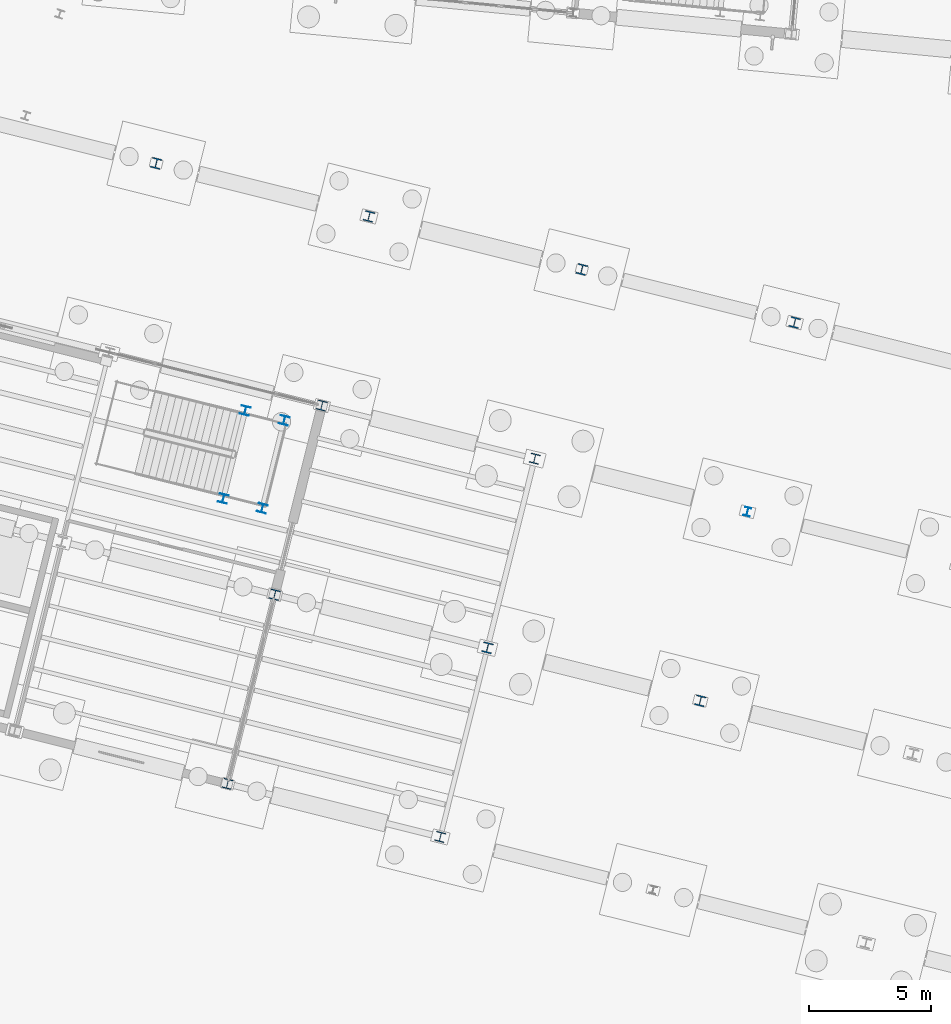
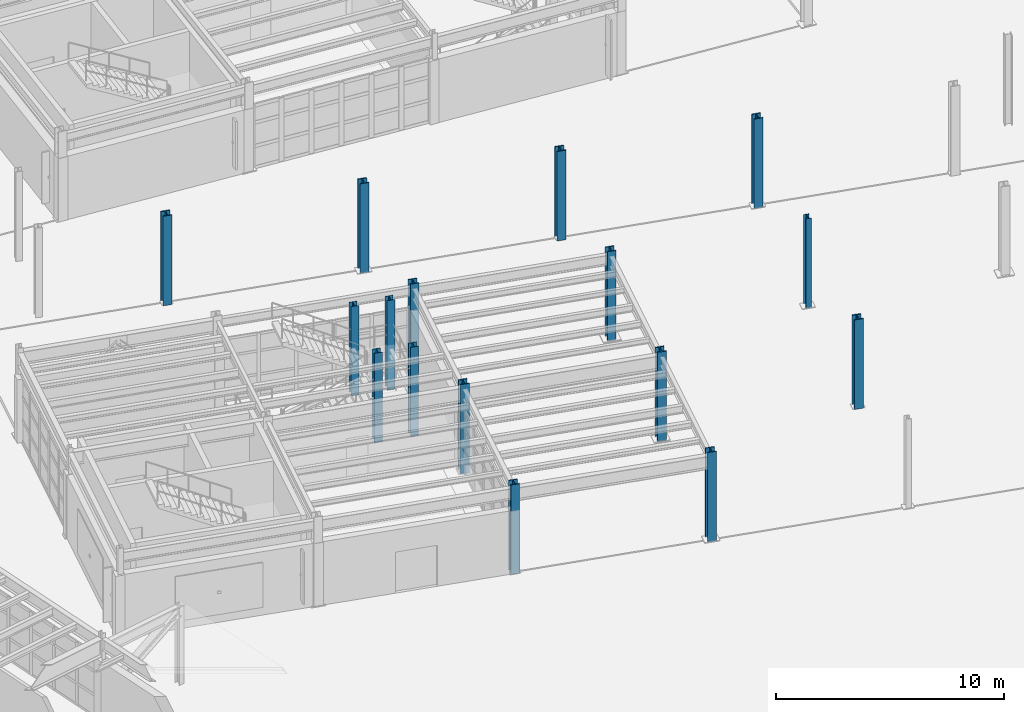
# One storey, part 17 of 108: 16 columns.
"""IFC4 building model written with IfcOpenShell, lengths in metres."""

from ifc_helpers import new_model, si_unit, direction, frame, origin, origin_2d, place, context, subcontext, project, spatial, i_section, extrude, material, material_profile, profile_set, type_object, element, save


model = new_model("IFC4")

# Units and contexts
model_context = context("Model", 3, precision=1e-05, world=origin(), true_north=direction((0.0, 1.0)))
body_context = subcontext(model_context, "Body", "Model", "MODEL_VIEW")
ifc_project = project(units=[si_unit("LENGTHUNIT", "METRE"), si_unit("AREAUNIT", "SQUARE_METRE"), si_unit("VOLUMEUNIT", "CUBIC_METRE"), si_unit("PLANEANGLEUNIT", "RADIAN"), si_unit("MASSUNIT", "GRAM", prefix="KILO")], contexts=[model_context])

# Site, building, storey
site_placement = place(None, origin())
site = spatial("IfcSite", under=ifc_project, at=site_placement, CompositionType="ELEMENT")
building_placement = place(site_placement, origin())
building = spatial("IfcBuilding", under=site, at=building_placement, Name="Vireo Bluff Cable Station", CompositionType="ELEMENT")
storey_placement = place(building_placement, origin())
storey = spatial("IfcBuildingStorey", under=building, at=storey_placement, Name="L00", CompositionType="ELEMENT", Elevation=0.0)

# Columns
ifc_material = material(Name="Steel ASTM A992 Gr. 50", Category="steel")
ifc_material_profile_1 = material_profile(ifc_material, i_section(OverallWidth=0.408935546875, OverallDepth=0.424072265625, WebThickness=0.03271484375, FlangeThickness=0.052490234375, FilletRadius=0.014892578125, at=origin_2d()), Name="W14X283")
ifc_profile_set_1 = profile_set([ifc_material_profile_1], Name="Steel ASTM A992 Gr. 50")
column_type_1 = type_object("IfcColumnType", Name="COL-W14X283", PredefinedType="COLUMN", material=ifc_profile_set_1)
for number, where, z_axis, x_axis, name in (
    (1, (68.538818359375, 59.10986328125, 0.0), (0.0, 0.0, 1.0), (0.970295726276, -0.2419218956, 0.0), "V1 L00 column 36"),
    (2, (82.13330078125, 39.23046875, 0.0), (0.0, 0.0, 1.0), (0.970295726276, -0.2419218956, 0.0), "V1 L00 column 66"),
    (3, (86.004150390625, 54.755126953125, 0.0), (0.0, 0.0, 1.0), (0.970295726276, -0.2419218956, 0.0), "V1 L00 column 76"),
    (4, (90.865966796875, 37.05322265625, 0.0), (0.0, 0.0, 1.0), (0.970295726276, -0.2419218956, 0.0), "V1 L00 column 86"),
    (5, (94.73681640625, 52.577880859375, 0.0), (0.0, 0.0, 1.0), (0.970295726276, -0.2419218956, 0.0), "V1 L00 column 92"),
):
    element("IfcColumn", number, at=place(storey_placement, frame(where, z_axis=z_axis, x_axis=x_axis)), inside=storey, type_object=column_type_1, Name=name, PredefinedType="COLUMN", context=body_context, shape_type="SweptSolid", body=[
        extrude(i_section(OverallWidth=0.408935546875, OverallDepth=0.424072265625, WebThickness=0.03271484375, FlangeThickness=0.052490234375, FilletRadius=0.014892578125, at=origin_2d()), origin(), (0.0, 0.0, 1.0), 4.800048828125),
    ])
ifc_material_profile_2 = material_profile(ifc_material, i_section(OverallWidth=0.367919921875, OverallDepth=0.35595703125, WebThickness=0.01123046875, FlangeThickness=0.01806640625, FilletRadius=0.014892578125, at=origin_2d()), Name="W14X90")
ifc_profile_set_2 = profile_set([ifc_material_profile_2], Name="Steel ASTM A992 Gr. 50")
column_type_2 = type_object("IfcColumnType", Name="COL-W14X90", PredefinedType="COLUMN", material=ifc_profile_set_2)
for number, where, z_axis, x_axis, name in (
    (6, (71.29296875, 45.35498046875, 0.0), (0.0, 0.0, 1.0), (0.970295726276, -0.2419218956, 0.0), "ST-10 L00 landing support column 1"),
    (7, (72.89404296875, 44.955810546875, 0.0), (0.0, 0.0, 1.0), (0.970295726276, -0.2419218956, 0.0), "ST-10 L00 landing support column 2"),
    (8, (72.19287109375, 48.96435546875, 0.0), (0.0, 0.0, 1.0), (0.970295726276, -0.2419218956, 0.0), "ST-10 L00 landing support column 3"),
    (9, (73.7939453125, 48.565185546875, 0.0), (0.0, 0.0, 1.0), (0.970295726276, -0.2419218956, 0.0), "ST-10 L00 landing support column 4"),
):
    element("IfcColumn", number, at=place(storey_placement, frame(where, z_axis=z_axis, x_axis=x_axis)), inside=storey, type_object=column_type_2, Name=name, PredefinedType="COLUMN", context=body_context, shape_type="SweptSolid", body=[
        extrude(i_section(OverallWidth=0.367919921875, OverallDepth=0.35595703125, WebThickness=0.01123046875, FlangeThickness=0.01806640625, FilletRadius=0.014892578125, at=origin_2d()), origin(), (0.0, 0.0, 1.0), 4.800048828125),
    ])
ifc_material_profile_3 = material_profile(ifc_material, i_section(OverallWidth=0.40087890625, OverallDepth=0.39892578125, WebThickness=0.02490234375, FlangeThickness=0.03955078125, FilletRadius=0.014892578125, at=origin_2d()), Name="W14X211")
ifc_profile_set_3 = profile_set([ifc_material_profile_3], Name="Steel ASTM A992 Gr. 50")
column_type_3 = type_object("IfcColumnType", Name="ECOL-W14X211", PredefinedType="COLUMN", material=ifc_profile_set_3)
for number, where, z_axis, x_axis, name in (
    (10, (71.46533203125, 33.6455078125, 0.0), (0.0, 0.0, 1.0), (0.970295726276, -0.2419218956, 0.0), "V1 L00 column 41"),
    (11, (75.336181640625, 49.170166015625, 0.0), (0.0, 0.0, 1.0), (0.970295726276, -0.2419218956, 0.0), "V1 L00 column 51"),
    (12, (80.197998046875, 31.468017578125, 0.0), (0.0, 0.0, 1.0), (0.970295726276, -0.2419218956, 0.0), "V1 L00 column 61"),
    (13, (84.06884765625, 46.992919921875, 0.0), (0.0, 0.0, 1.0), (0.970295726276, -0.2419218956, 0.0), "V1 L00 column 71"),
):
    element("IfcColumn", number, at=place(storey_placement, frame(where, z_axis=z_axis, x_axis=x_axis)), inside=storey, type_object=column_type_3, Name=name, PredefinedType="COLUMN", context=body_context, shape_type="SweptSolid", body=[
        extrude(i_section(OverallWidth=0.40087890625, OverallDepth=0.39892578125, WebThickness=0.02490234375, FlangeThickness=0.03955078125, FilletRadius=0.014892578125, at=origin_2d()), origin(), (0.0, 0.0, 1.0), 4.800048828125),
    ])
ifc_material_profile_4 = material_profile(ifc_material, i_section(OverallWidth=0.406005859375, OverallDepth=0.4169921875, WebThickness=0.02978515625, FlangeThickness=0.048095703125, FilletRadius=0.014892578125, at=origin_2d()), Name="W14X257")
ifc_profile_set_4 = profile_set([ifc_material_profile_4], Name="Steel ASTM A992 Gr. 50")
column_type_4 = type_object("IfcColumnType", Name="ECOL-W14X257", PredefinedType="COLUMN", material=ifc_profile_set_4)
for number, where, z_axis, x_axis, name in (
    (14, (73.400634765625, 41.40771484375, 0.0), (0.0, 0.0, 1.0), (0.970295726276, -0.2419218956, 0.0), "V1 L00 column 46"),
    (15, (77.271484375, 56.9326171875, 0.0), (0.0, 0.0, 1.0), (0.970295726276, -0.2419218956, 0.0), "V1 L00 column 56"),
):
    element("IfcColumn", number, at=place(storey_placement, frame(where, z_axis=z_axis, x_axis=x_axis)), inside=storey, type_object=column_type_4, Name=name, PredefinedType="COLUMN", context=body_context, shape_type="SweptSolid", body=[
        extrude(i_section(OverallWidth=0.406005859375, OverallDepth=0.4169921875, WebThickness=0.02978515625, FlangeThickness=0.048095703125, FilletRadius=0.014892578125, at=origin_2d()), origin(), (0.0, 0.0, 1.0), 4.800048828125),
    ])
ifc_material_profile_5 = material_profile(ifc_material, i_section(OverallWidth=0.25390625, OverallDepth=0.35302734375, WebThickness=0.009521484375, FlangeThickness=0.016357421875, FilletRadius=0.011962890625, at=origin_2d()), Name="W14X61")
ifc_profile_set_5 = profile_set([ifc_material_profile_5], Name="Steel ASTM A992 Gr. 50")
column_type_5 = type_object("IfcColumnType", Name="PIL-W14X61", PredefinedType="PILASTER", material=ifc_profile_set_5)
column_placement = place(storey_placement, frame((92.801513671875, 44.8154296875, 0.0), z_axis=(0.0, 0.0, 1.0), x_axis=(0.970295726276, -0.2419218956, 0.0)))
element("IfcColumn", 16, at=column_placement, inside=storey, type_object=column_type_5, Name="V1 L00 column 89", PredefinedType="PILASTER", context=body_context, shape_type="SweptSolid", body=[
    extrude(i_section(OverallWidth=0.25390625, OverallDepth=0.35302734375, WebThickness=0.009521484375, FlangeThickness=0.016357421875, FilletRadius=0.011962890625, at=origin_2d()), origin(), (0.0, 0.0, 1.0), 4.800048828125),
])

save(model, "model.ifc")
